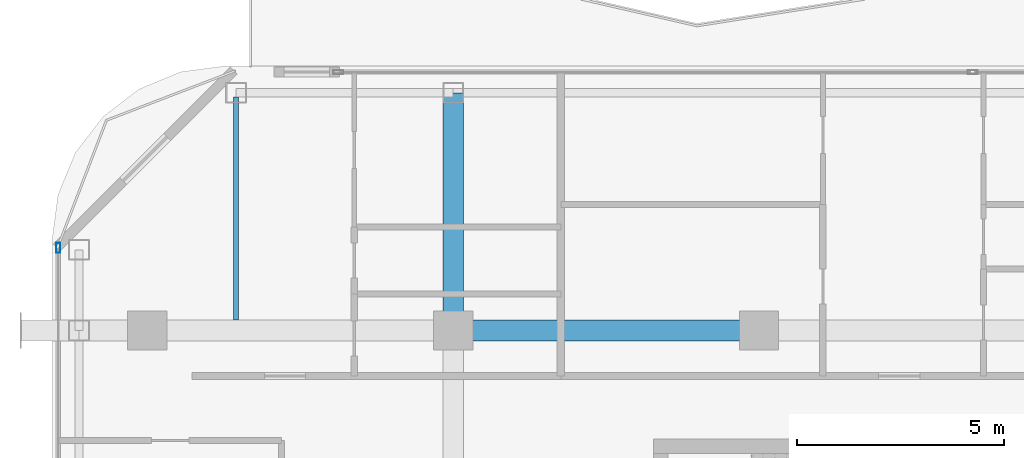
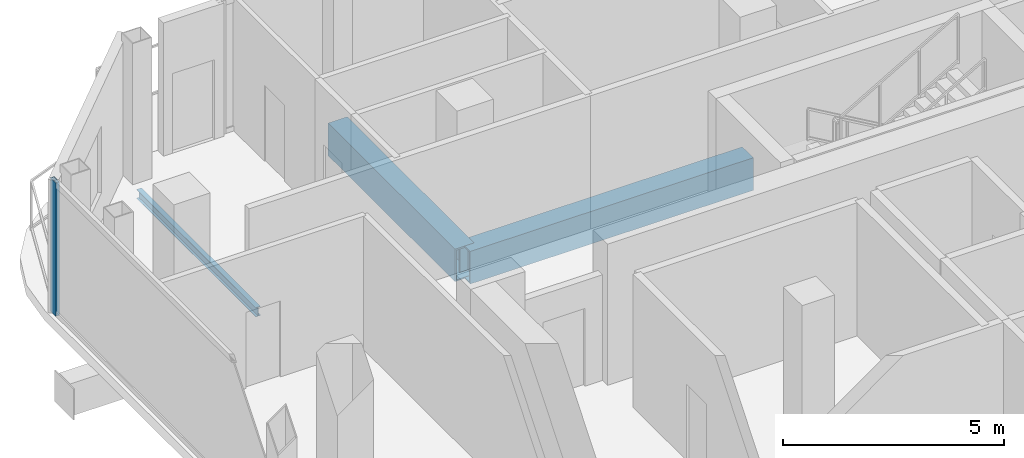
# One storey, part 12 of 25: 3 beams, 1 member, 1 element without a shape of its own.
"""IFC4 building model written with IfcOpenShell, lengths in metres."""

from ifc_helpers import new_model, si_unit, direction, frame, origin, origin_2d, place, context, subcontext, project, spatial, hollow_rectangle, i_section, extrude, material, layer, layer_set, material_profile, profile_set, type_object, element, aggregate, save


model = new_model("IFC4")

# Units and contexts
model_context = context("Model", 3, precision=1e-05, world=origin(), true_north=direction((0.0, 1.0)))
body_context = subcontext(model_context, "Body", "Model", "MODEL_VIEW")
ifc_project = project(units=[si_unit("LENGTHUNIT", "METRE"), si_unit("AREAUNIT", "SQUARE_METRE"), si_unit("VOLUMEUNIT", "CUBIC_METRE"), si_unit("PLANEANGLEUNIT", "RADIAN"), si_unit("MASSUNIT", "GRAM", prefix="KILO")], contexts=[model_context])

# Site, building, storey
site_placement = place(None, origin())
site = spatial("IfcSite", under=ifc_project, at=site_placement, CompositionType="ELEMENT")
building_placement = place(site_placement, origin())
building = spatial("IfcBuilding", under=site, at=building_placement, Name="Khorvyn Point Tower", CompositionType="ELEMENT")
storey_placement = place(building_placement, frame((0.0, 0.0, 254.699951171875)))
storey = spatial("IfcBuildingStorey", under=building, at=storey_placement, Name="L62", CompositionType="ELEMENT", Elevation=254.699951171875)

# Curtain wall, member
ifc_material_1 = material(Name="Anodised aluminium 6063-T6 and laminated Low-E glass", Category="aluminium")
ifc_layer = layer(ifc_material_1, 0.18994140625)
ifc_layer_set = layer_set([ifc_layer], Name="Stick-Built High-Wind Curtain Wall CW-SYS-04")
curtain_wall_type = type_object("IfcCurtainWallType", Name="Stick-Built High-Wind Curtain Wall CW-SYS-04", PredefinedType="NOTDEFINED", material=ifc_layer_set)
curtain_wall_placement = place(storey_placement, origin())
curtain_wall = element("IfcCurtainWall", 1, at=curtain_wall_placement, inside=storey, type_object=curtain_wall_type, Name="Curtain Wall", PredefinedType="NOTDEFINED")
ifc_material_2 = material(Name="Anodised aluminium 6063-T6", Category="aluminium")
ifc_material_profile_1 = material_profile(ifc_material_2, hollow_rectangle(XDim=0.10009765625, YDim=0.239990234375, WallThickness=0.0048828125, at=origin_2d()))
ifc_profile_set_1 = profile_set([ifc_material_profile_1], Name="Anodised aluminium 6063-T6 ALU-MUL-100x240")
member_type = type_object("IfcMemberType", Name="Anodised Aluminium 6063-T6 Mullion ALU-MUL-100x240", PredefinedType="MULLION", material=ifc_profile_set_1)
member_placement = place(storey_placement, frame((-16.949951171875, 16.800048828125, 0.0), z_axis=(0.0, 0.0, 1.0), x_axis=(-1.0, 0.0, 0.0)))
member = element("IfcMember", 2, at=member_placement, type_object=member_type, Name="Transom", PredefinedType="MULLION", context=body_context, shape_type="SweptSolid", body=[
    extrude(hollow_rectangle(XDim=0.10009765625, YDim=0.239990234375, WallThickness=0.0048828125, at=origin_2d()), origin(), (0.0, 0.0, 1.0), 3.679931640625),
])
aggregate(curtain_wall, [member])

# Beams
ifc_material_3 = material(Name="Steel S355", Category="steel")
ifc_material_profile_2 = material_profile(ifc_material_3, i_section(OverallWidth=0.125, OverallDepth=0.25, WebThickness=0.006103515625, FlangeThickness=0.009033203125, at=origin_2d()))
ifc_profile_set_2 = profile_set([ifc_material_profile_2], Name="Steel S355 H250x125x6x9")
beam_type_1 = type_object("IfcBeamType", Name="Steel S355 Joist H250x125x6x9", PredefinedType="JOIST", material=ifc_profile_set_2)
beam_1_placement = place(storey_placement, frame((-12.64990234375, 15.050048828125, -0.405029296875), z_axis=(0.0, 1.0, 0.0), x_axis=(-1.0, 0.0, 0.0)))
element("IfcBeam", 3, at=beam_1_placement, inside=storey, type_object=beam_type_1, Name="Beam", PredefinedType="JOIST", context=body_context, shape_type="SweptSolid", body=[
    extrude(i_section(OverallWidth=0.125, OverallDepth=0.25, WebThickness=0.006103515625, FlangeThickness=0.009033203125, at=origin_2d()), origin(), (0.0, 0.0, 1.0), 5.39990234375),
])
ifc_material_4 = material(Name="Steel S450", Category="steel")
ifc_material_profile_3 = material_profile(ifc_material_4, hollow_rectangle(XDim=0.5, YDim=0.89990234375, WallThickness=0.0400390625, at=origin_2d()))
ifc_profile_set_3 = profile_set([ifc_material_profile_3], Name="Steel S450 BOX900x500x40")
beam_type_2 = type_object("IfcBeamType", Name="Steel S450 Beam BOX900x500x40", PredefinedType="BEAM", material=ifc_profile_set_3)
beam_2_placement = place(storey_placement, frame((-7.39990234375, 14.800048828125, -0.72998046875), z_axis=(1.0, 0.0, 0.0), x_axis=(0.0, 1.0, 0.0)))
element("IfcBeam", 4, at=beam_2_placement, inside=storey, type_object=beam_type_2, Name="L62 Radial Transfer Girder", PredefinedType="BEAM", context=body_context, shape_type="SweptSolid", body=[
    extrude(hollow_rectangle(XDim=0.5, YDim=0.89990234375, WallThickness=0.0400390625, at=origin_2d()), origin(), (0.0, 0.0, 1.0), 7.39990234375),
])
beam_3_placement = place(storey_placement, frame((-7.39990234375, 14.800048828125, -0.72998046875), z_axis=(0.0, 1.0, 0.0), x_axis=(-1.0, 0.0, 0.0)))
element("IfcBeam", 5, at=beam_3_placement, inside=storey, type_object=beam_type_2, Name="Beam", PredefinedType="BEAM", context=body_context, shape_type="SweptSolid", body=[
    extrude(hollow_rectangle(XDim=0.5, YDim=0.89990234375, WallThickness=0.0400390625, at=origin_2d()), origin(), (0.0, 0.0, 1.0), 5.75),
])

save(model, "model.ifc")
